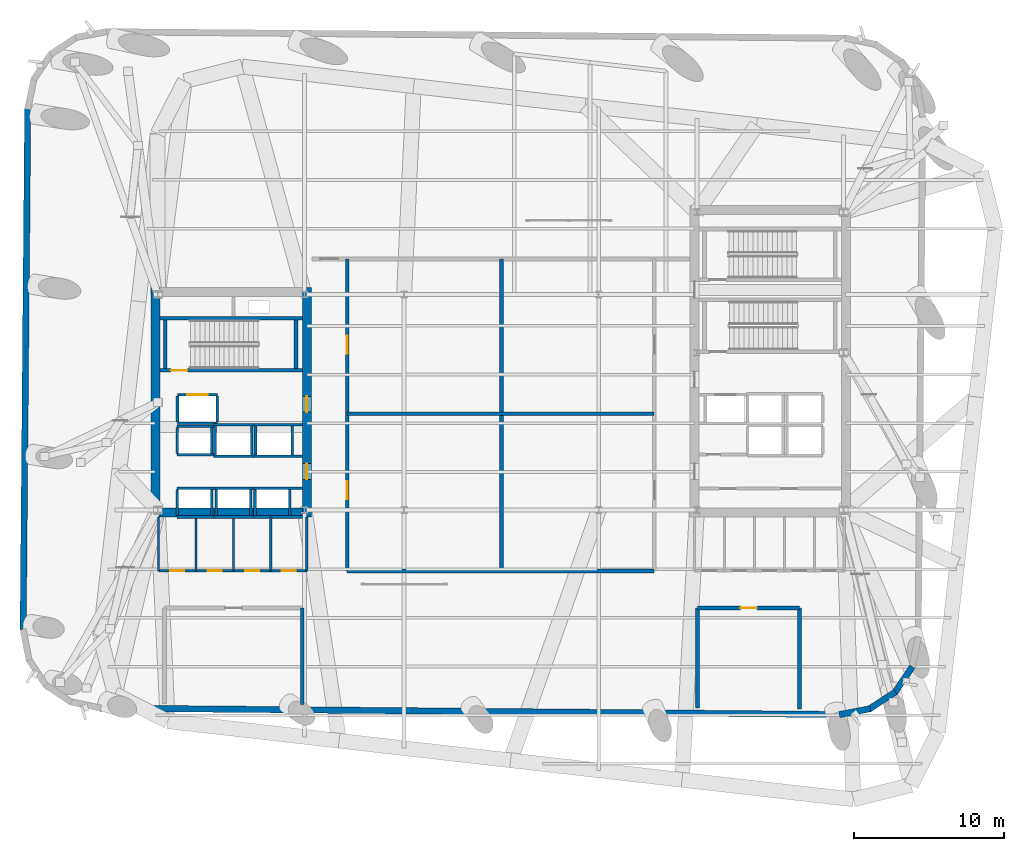
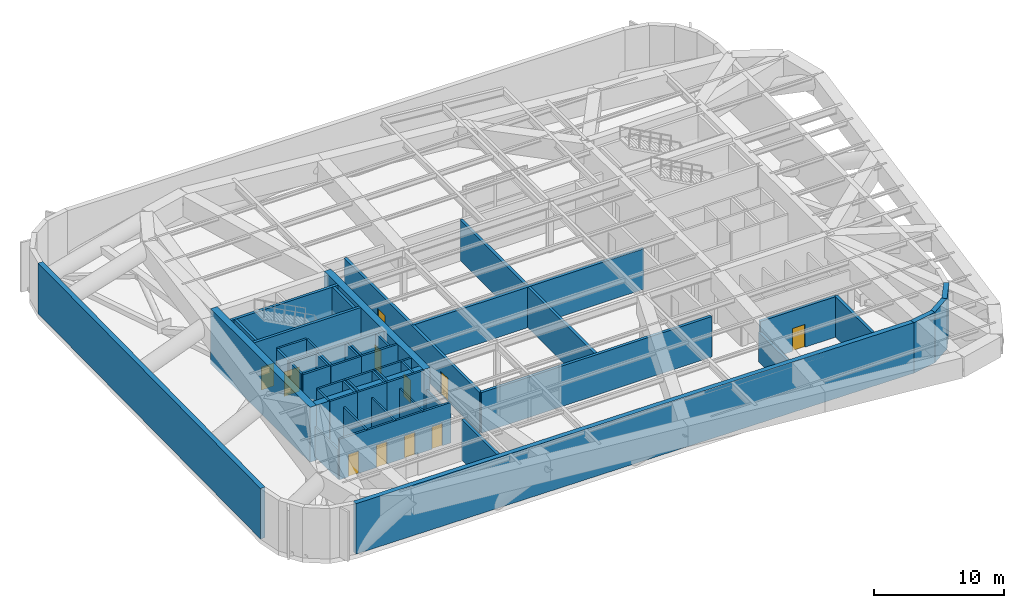
# One storey, part 7 of 13: 54 walls, 11 doors, 11 openings.
"""IFC4 building model written with IfcOpenShell, lengths in metres."""

from ifc_helpers import new_model, si_unit, direction, frame, frame_2d, origin, place, context, subcontext, project, spatial, rectangle, extrude, material, layer, layer_set, type_object, element, fill, save


model = new_model("IFC4")

# Units and contexts
model_context = context("Model", 3, precision=1e-05, world=origin(), true_north=direction((0.0, 1.0)))
body_context = subcontext(model_context, "Body", "Model", "MODEL_VIEW")
ifc_project = project(units=[si_unit("LENGTHUNIT", "METRE"), si_unit("AREAUNIT", "SQUARE_METRE"), si_unit("VOLUMEUNIT", "CUBIC_METRE"), si_unit("PLANEANGLEUNIT", "RADIAN"), si_unit("MASSUNIT", "GRAM", prefix="KILO")], contexts=[model_context])

# Site, building, storey
site_placement = place(None, origin())
site = spatial("IfcSite", under=ifc_project, at=site_placement, CompositionType="ELEMENT")
building_placement = place(site_placement, origin())
building = spatial("IfcBuilding", under=site, at=building_placement, Name="Kolvaren Arena Tower", CompositionType="ELEMENT")
storey_placement = place(building_placement, frame((0.0, 0.0, 210.949951171875)))
storey = spatial("IfcBuildingStorey", under=building, at=storey_placement, Name="L51", CompositionType="ELEMENT", Elevation=210.949951171875)

# Wall
ifc_material_1 = material(Name="Concrete 60 MPa", Category="concrete")
ifc_layer_1 = layer(ifc_material_1, 0.60009765625)
ifc_layer_set_1 = layer_set([ifc_layer_1], Name="Concrete 60 MPa")
wall_type_1 = type_object("IfcWallType", Name="CWALL-600", PredefinedType="SHEAR", material=ifc_layer_set_1)
wall_1_placement = place(storey_placement, frame((14.39990234375, 19.0, -0.419921875), z_axis=(0.0, 0.0, 1.0), x_axis=(0.0, 1.0, 0.0)))
element("IfcWall", 1, at=wall_1_placement, inside=storey, type_object=wall_type_1, Name="Core Shear Wall WC-WEST (L51)", PredefinedType="SHEAR", context=body_context, shape_type="SweptSolid", body=[
    extrude(rectangle(XDim=15.300048828125, YDim=0.60009765625, at=frame_2d((7.64990234375, 0.0))), origin(), (0.0, 0.0, 1.0), 5.169921875),
])

# Wall, openings, doors
wall_2_placement = place(storey_placement, frame((24.5, 19.0, -0.419921875), z_axis=(0.0, 0.0, 1.0), x_axis=(0.0, 1.0, 0.0)))
wall_2 = element("IfcWall", 2, at=wall_2_placement, inside=storey, type_object=wall_type_1, Name="Core Shear Wall WC-EAST (L51)", PredefinedType="SHEAR", context=body_context, shape_type="SweptSolid", body=[
    extrude(rectangle(XDim=15.300048828125, YDim=0.60009765625, at=frame_2d((7.64990234375, 0.0))), origin(), (0.0, 0.0, 1.0), 5.169921875),
])
opening_1_placement = place(wall_2_placement, frame((2.5, 0.0, 0.419921875)))
opening_1 = element("IfcOpeningElement", 3, at=opening_1_placement, cuts=wall_2, Name="Opening D04", PredefinedType="OPENING", context=body_context, shape_type="SweptSolid", body=[
    extrude(rectangle(XDim=1.050048828125, YDim=2.14990234375, at=frame_2d((0.52490234375, 1.074951171875))), frame((0.0, 0.31005859375, 0.0), z_axis=(0.0, -1.0, 0.0), x_axis=(1.0, 0.0, 0.0)), (0.0, 0.0, 1.0), 0.6201171875),
])
opening_2_placement = place(wall_2_placement, frame((7.0, 0.0, 0.419921875)))
opening_2 = element("IfcOpeningElement", 4, at=opening_2_placement, cuts=wall_2, Name="Opening D04", PredefinedType="OPENING", context=body_context, shape_type="SweptSolid", body=[
    extrude(rectangle(XDim=1.050048828125, YDim=2.14990234375, at=frame_2d((0.52490234375, 1.074951171875))), frame((0.0, 0.31005859375, 0.0), z_axis=(0.0, -1.0, 0.0), x_axis=(1.0, 0.0, 0.0)), (0.0, 0.0, 1.0), 0.6201171875),
])
ifc_material_2 = material(Name="Fire-rated steel lobby door", Category="steel")
door_type_1 = type_object("IfcDoorType", Name="DOOR-FF-105", OperationType="NOTDEFINED", PredefinedType="DOOR", material=ifc_material_2)
door_1_placement = place(opening_1_placement, origin())
door_1 = element("IfcDoor", 5, at=door_1_placement, inside=storey, type_object=door_type_1, Name="West Lift Lobby Fire Door (L51)", OperationType="SINGLE_SWING_LEFT", OverallHeight=2.14990234375, OverallWidth=1.050048828125, PredefinedType="DOOR", context=body_context, shape_type="SweptSolid", body=[
    extrude(rectangle(XDim=1.050048828125, YDim=2.14990234375, at=frame_2d((0.52490234375, 1.074951171875))), frame((0.0, 0.02490234375, 0.0), z_axis=(0.0, -1.0, 0.0), x_axis=(1.0, 0.0, 0.0)), (0.0, 0.0, 1.0), 0.050048828125),
])
fill(opening_1, door_1)
door_2_placement = place(opening_2_placement, origin())
door_2 = element("IfcDoor", 6, at=door_2_placement, inside=storey, type_object=door_type_1, Name="West Firefighter Vestibule Door (L51)", OperationType="SINGLE_SWING_RIGHT", OverallHeight=2.14990234375, OverallWidth=1.050048828125, PredefinedType="DOOR", context=body_context, shape_type="SweptSolid", body=[
    extrude(rectangle(XDim=1.050048828125, YDim=2.14990234375, at=frame_2d((0.52490234375, 1.074951171875))), frame((0.0, 0.02490234375, 0.0), z_axis=(0.0, -1.0, 0.0), x_axis=(1.0, 0.0, 0.0)), (0.0, 0.0, 1.0), 0.050048828125),
])
fill(opening_2, door_2)

# Walls
wall_3_placement = place(storey_placement, frame((14.699951171875, 19.300048828125, -0.419921875), z_axis=(0.0, 0.0, 1.0), x_axis=(1.0, 0.0, 0.0)))
element("IfcWall", 7, at=wall_3_placement, inside=storey, type_object=wall_type_1, Name="Core Shear Wall WC-SOUTH (L51)", PredefinedType="SHEAR", context=body_context, shape_type="SweptSolid", body=[
    extrude(rectangle(XDim=9.5, YDim=0.60009765625, at=frame_2d((4.75, 0.0))), origin(), (0.0, 0.0, 1.0), 5.169921875),
])
ifc_material_3 = material(Name="Precast concrete C50/60", Category="concrete")
ifc_layer_2 = layer(ifc_material_3, 0.419921875)
ifc_layer_set_2 = layer_set([ifc_layer_2], Name="Precast concrete C50/60")
wall_type_2 = type_object("IfcWallType", Name="EXT-PIER1", PredefinedType="SOLIDWALL", material=ifc_layer_set_2)
wall_4_placement = place(storey_placement, frame((62.130859375, 6.1845703125, 0.0), z_axis=(0.0, 0.0, 1.0), x_axis=(-0.982445905584, -0.186547695246, 0.0)))
element("IfcWall", 8, at=wall_4_placement, inside=storey, type_object=wall_type_2, Name="Exterior Precast Masonry-Frame Wall (L51)", PredefinedType="SOLIDWALL", context=body_context, shape_type="SweptSolid", body=[
    extrude(rectangle(XDim=2.107177734375, YDim=0.419921875, at=frame_2d((1.0537109375, 0.0))), origin(), (0.0, 0.0, 1.0), 4.75),
])
for number, where, z_axis, x_axis, name in (
    (9, (63.81689453125, 7.30908203125, 0.0), (0.0, 0.0, 1.0), (-0.836268756678, -0.548319766745, 0.0), "Exterior Precast Masonry-Frame Wall (L51)"),
    (10, (64.9443359375, 8.993408203125, 0.0), (0.0, 0.0, 1.0), (-0.56277581689, -0.826609569219, 0.0), "Exterior Precast Masonry-Frame Wall (L51)"),
):
    element("IfcWall", number, at=place(storey_placement, frame(where, z_axis=z_axis, x_axis=x_axis)), inside=storey, type_object=wall_type_2, Name=name, PredefinedType="SOLIDWALL", context=body_context, shape_type="SweptSolid", body=[
        extrude(rectangle(XDim=2.10693359375, YDim=0.419921875, at=frame_2d((1.053466796875, 0.0))), origin(), (0.0, 0.0, 1.0), 4.75),
    ])
wall_5_placement = place(storey_placement, frame((5.559326171875, 11.46142578125, 0.0), z_axis=(0.0, 0.0, 1.0), x_axis=(0.008727287311, 0.999961916503, 0.0)))
element("IfcWall", 11, at=wall_5_placement, inside=storey, type_object=wall_type_2, Name="Exterior Precast Masonry-Frame Wall (L51)", PredefinedType="SOLIDWALL", context=body_context, shape_type="SweptSolid", body=[
    extrude(rectangle(XDim=34.800048828125, YDim=0.419921875, at=frame_2d((17.39990234375, 0.0))), origin(), (0.0, 0.0, 1.0), 4.75),
])
wall_6_placement = place(storey_placement, frame((60.101806640625, 5.79541015625, 0.0), z_axis=(0.0, 0.0, 1.0), x_axis=(-0.99996195506, 0.008722868379, 0.0)))
element("IfcWall", 12, at=wall_6_placement, inside=storey, type_object=wall_type_2, Name="Exterior Precast Masonry-Frame Wall (L51)", PredefinedType="SOLIDWALL", context=body_context, shape_type="SweptSolid", body=[
    extrude(rectangle(XDim=49.39990234375, YDim=0.419921875, at=frame_2d((24.699951171875, 0.0))), origin(), (0.0, 0.0, 1.0), 4.75),
])

# Wall, opening, door
ifc_material_4 = material(Name="Concrete 45 MPa", Category="concrete")
ifc_layer_3 = layer(ifc_material_4, 0.25)
ifc_layer_set_3 = layer_set([ifc_layer_3], Name="Concrete 45 MPa")
wall_type_3 = type_object("IfcWallType", Name="SHAFT-250", PredefinedType="SOLIDWALL", material=ifc_layer_set_3)
wall_7_placement = place(storey_placement, frame((24.199951171875, 28.780029296875, 0.0), z_axis=(0.0, 0.0, 1.0), x_axis=(-1.0, 0.0, 0.0)))
wall_7 = element("IfcWall", 13, at=wall_7_placement, inside=storey, type_object=wall_type_3, Name="Core Shaft Wall (L51)", PredefinedType="SOLIDWALL", context=body_context, shape_type="SweptSolid", body=[
    extrude(rectangle(XDim=9.5, YDim=0.239990234375, at=frame_2d((4.75, 0.0))), origin(), (0.0, 0.0, 1.0), 4.75),
])
opening_3_placement = place(wall_7_placement, frame((7.679931640625, 0.0, 0.0)))
opening_3 = element("IfcOpeningElement", 14, at=opening_3_placement, cuts=wall_7, Name="Opening D03", PredefinedType="OPENING", context=body_context, shape_type="SweptSolid", body=[
    extrude(rectangle(XDim=1.10009765625, YDim=2.14990234375, at=frame_2d((0.550048828125, 1.074951171875))), frame((0.0, 0.1298828125, 0.0), z_axis=(0.0, -1.0, 0.0), x_axis=(1.0, 0.0, 0.0)), (0.0, 0.0, 1.0), 0.260009765625),
])
ifc_material_5 = material(Name="Fire-rated steel exit stair door", Category="steel")
door_type_2 = type_object("IfcDoorType", Name="DOOR-ST-110", OperationType="NOTDEFINED", PredefinedType="DOOR", material=ifc_material_5)
door_3_placement = place(opening_3_placement, origin())
door_3 = element("IfcDoor", 15, at=door_3_placement, inside=storey, type_object=door_type_2, Name="Stair ST-W1 Fire Door (L51)", OperationType="SINGLE_SWING_RIGHT", OverallHeight=2.14990234375, OverallWidth=1.10009765625, PredefinedType="DOOR", context=body_context, shape_type="SweptSolid", body=[
    extrude(rectangle(XDim=1.10009765625, YDim=2.14990234375, at=frame_2d((0.550048828125, 1.074951171875))), frame((0.0, 0.02490234375, 0.0), z_axis=(0.0, -1.0, 0.0), x_axis=(1.0, 0.0, 0.0)), (0.0, 0.0, 1.0), 0.050048828125),
])
fill(opening_3, door_3)

# Walls
wall_8_placement = place(storey_placement, frame((14.699951171875, 32.25, 0.0), z_axis=(0.0, 0.0, 1.0), x_axis=(1.0, 0.0, 0.0)))
element("IfcWall", 16, at=wall_8_placement, inside=storey, type_object=wall_type_3, Name="Core Shaft Wall (L51)", PredefinedType="SOLIDWALL", context=body_context, shape_type="SweptSolid", body=[
    extrude(rectangle(XDim=9.5, YDim=0.239990234375, at=frame_2d((4.75, 0.0))), origin(), (0.0, 0.0, 1.0), 4.75),
])
for number, where, z_axis, x_axis, name in (
    (17, (15.06005859375, 28.89990234375, 0.0), (0.0, 0.0, 1.0), (0.0, 1.0, 0.0), "Core Shaft Wall (L51)"),
    (18, (23.780029296875, 28.89990234375, 0.0), (0.0, 0.0, 1.0), (0.0, 1.0, 0.0), "Core Shaft Wall (L51)"),
):
    element("IfcWall", number, at=place(storey_placement, frame(where, z_axis=z_axis, x_axis=x_axis)), inside=storey, type_object=wall_type_3, Name=name, PredefinedType="SOLIDWALL", context=body_context, shape_type="SweptSolid", body=[
        extrude(rectangle(XDim=3.22998046875, YDim=0.239990234375, at=frame_2d((1.614990234375, 0.0))), origin(), (0.0, 0.0, 1.0), 4.75),
    ])
for number, where, z_axis, x_axis, name in (
    (19, (15.844970703125, 20.905029296875, 0.0), (0.0, 0.0, 1.0), (1.0, 0.0, 0.0), "Core Shaft Wall (L51)"),
    (20, (15.844970703125, 18.9951171875, 0.0), (0.0, 0.0, 1.0), (1.0, 0.0, 0.0), "Core Shaft Wall (L51)"),
):
    element("IfcWall", number, at=place(storey_placement, frame(where, z_axis=z_axis, x_axis=x_axis)), inside=storey, type_object=wall_type_3, Name=name, PredefinedType="SOLIDWALL", context=body_context, shape_type="SweptSolid", body=[
        extrude(rectangle(XDim=2.455078125, YDim=0.179931640625, at=frame_2d((1.2275390625, 0.0))), origin(), (0.0, 0.0, 1.0), 4.75),
    ])
for number, where, z_axis, x_axis, name in (
    (21, (15.844970703125, 19.0849609375, 0.0), (0.0, 0.0, 1.0), (0.0, 1.0, 0.0), "Core Shaft Wall (L51)"),
    (22, (18.155029296875, 19.0849609375, 0.0), (0.0, 0.0, 1.0), (0.0, 1.0, 0.0), "Core Shaft Wall (L51)"),
):
    element("IfcWall", number, at=place(storey_placement, frame(where, z_axis=z_axis, x_axis=x_axis)), inside=storey, type_object=wall_type_3, Name=name, PredefinedType="SOLIDWALL", context=body_context, shape_type="SweptSolid", body=[
        extrude(rectangle(XDim=1.72998046875, YDim=0.179931640625, at=frame_2d((0.864990234375, 0.0))), origin(), (0.0, 0.0, 1.0), 4.75),
    ])
for number, where, z_axis, x_axis, name in (
    (23, (18.300048828125, 20.905029296875, 0.0), (0.0, 0.0, 1.0), (1.0, 0.0, 0.0), "Core Shaft Wall (L51)"),
    (24, (18.300048828125, 18.9951171875, 0.0), (0.0, 0.0, 1.0), (1.0, 0.0, 0.0), "Core Shaft Wall (L51)"),
):
    element("IfcWall", number, at=place(storey_placement, frame(where, z_axis=z_axis, x_axis=x_axis)), inside=storey, type_object=wall_type_3, Name=name, PredefinedType="SOLIDWALL", context=body_context, shape_type="SweptSolid", body=[
        extrude(rectangle(XDim=2.599853515625, YDim=0.179931640625, at=frame_2d((1.2998046875, 0.0))), origin(), (0.0, 0.0, 1.0), 4.75),
    ])
for number, where, z_axis, x_axis, name in (
    (25, (18.445068359375, 19.0849609375, 0.0), (0.0, 0.0, 1.0), (0.0, 1.0, 0.0), "Core Shaft Wall (L51)"),
    (26, (20.7548828125, 19.0849609375, 0.0), (0.0, 0.0, 1.0), (0.0, 1.0, 0.0), "Core Shaft Wall (L51)"),
):
    element("IfcWall", number, at=place(storey_placement, frame(where, z_axis=z_axis, x_axis=x_axis)), inside=storey, type_object=wall_type_3, Name=name, PredefinedType="SOLIDWALL", context=body_context, shape_type="SweptSolid", body=[
        extrude(rectangle(XDim=1.72998046875, YDim=0.179931640625, at=frame_2d((0.864990234375, 0.0))), origin(), (0.0, 0.0, 1.0), 4.75),
    ])
for number, where, z_axis, x_axis, name in (
    (27, (20.89990234375, 20.905029296875, 0.0), (0.0, 0.0, 1.0), (1.0, 0.0, 0.0), "Core Shaft Wall (L51)"),
    (28, (20.89990234375, 18.9951171875, 0.0), (0.0, 0.0, 1.0), (1.0, 0.0, 0.0), "Core Shaft Wall (L51)"),
):
    element("IfcWall", number, at=place(storey_placement, frame(where, z_axis=z_axis, x_axis=x_axis)), inside=storey, type_object=wall_type_3, Name=name, PredefinedType="SOLIDWALL", context=body_context, shape_type="SweptSolid", body=[
        extrude(rectangle(XDim=3.300048828125, YDim=0.179931640625, at=frame_2d((1.64990234375, 0.0))), origin(), (0.0, 0.0, 1.0), 4.75),
    ])
for number, where, z_axis, x_axis, name in (
    (29, (21.044921875, 19.0849609375, 0.0), (0.0, 0.0, 1.0), (0.0, 1.0, 0.0), "Core Shaft Wall (L51)"),
    (30, (23.35498046875, 19.0849609375, 0.0), (0.0, 0.0, 1.0), (0.0, 1.0, 0.0), "Core Shaft Wall (L51)"),
):
    element("IfcWall", number, at=place(storey_placement, frame(where, z_axis=z_axis, x_axis=x_axis)), inside=storey, type_object=wall_type_3, Name=name, PredefinedType="SOLIDWALL", context=body_context, shape_type="SweptSolid", body=[
        extrude(rectangle(XDim=1.72998046875, YDim=0.179931640625, at=frame_2d((0.864990234375, 0.0))), origin(), (0.0, 0.0, 1.0), 4.75),
    ])
for number, where, z_axis, x_axis, name in (
    (31, (15.844970703125, 25.054931640625, 0.0), (0.0, 0.0, 1.0), (1.0, 0.0, 0.0), "Core Shaft Wall (L51)"),
    (32, (15.844970703125, 23.14501953125, 0.0), (0.0, 0.0, 1.0), (1.0, 0.0, 0.0), "Core Shaft Wall (L51)"),
):
    element("IfcWall", number, at=place(storey_placement, frame(where, z_axis=z_axis, x_axis=x_axis)), inside=storey, type_object=wall_type_3, Name=name, PredefinedType="SOLIDWALL", context=body_context, shape_type="SweptSolid", body=[
        extrude(rectangle(XDim=2.41748046875, YDim=0.179931640625, at=frame_2d((1.208740234375, 0.0))), origin(), (0.0, 0.0, 1.0), 4.75),
    ])
for number, where, z_axis, x_axis, name in (
    (33, (15.844970703125, 23.235107421875, 0.0), (0.0, 0.0, 1.0), (0.0, 1.0, 0.0), "Core Shaft Wall (L51)"),
    (34, (18.155029296875, 23.235107421875, 0.0), (0.0, 0.0, 1.0), (0.0, 1.0, 0.0), "Core Shaft Wall (L51)"),
):
    element("IfcWall", number, at=place(storey_placement, frame(where, z_axis=z_axis, x_axis=x_axis)), inside=storey, type_object=wall_type_3, Name=name, PredefinedType="SOLIDWALL", context=body_context, shape_type="SweptSolid", body=[
        extrude(rectangle(XDim=1.72998046875, YDim=0.179931640625, at=frame_2d((0.864990234375, 0.0))), origin(), (0.0, 0.0, 1.0), 4.75),
    ])
for number, where, z_axis, x_axis, name in (
    (35, (18.262451171875, 25.155029296875, 0.0), (0.0, 0.0, 1.0), (1.0, 0.0, 0.0), "Core Shaft Wall (L51)"),
    (36, (18.262451171875, 23.044921875, 0.0), (0.0, 0.0, 1.0), (1.0, 0.0, 0.0), "Core Shaft Wall (L51)"),
):
    element("IfcWall", number, at=place(storey_placement, frame(where, z_axis=z_axis, x_axis=x_axis)), inside=storey, type_object=wall_type_3, Name=name, PredefinedType="SOLIDWALL", context=body_context, shape_type="SweptSolid", body=[
        extrude(rectangle(XDim=2.6875, YDim=0.179931640625, at=frame_2d((1.34375, 0.0))), origin(), (0.0, 0.0, 1.0), 4.75),
    ])
for number, where, z_axis, x_axis, name in (
    (37, (18.3701171875, 23.135009765625, 0.0), (0.0, 0.0, 1.0), (0.0, 1.0, 0.0), "Core Shaft Wall (L51)"),
    (38, (20.830078125, 23.135009765625, 0.0), (0.0, 0.0, 1.0), (0.0, 1.0, 0.0), "Core Shaft Wall (L51)"),
):
    element("IfcWall", number, at=place(storey_placement, frame(where, z_axis=z_axis, x_axis=x_axis)), inside=storey, type_object=wall_type_3, Name=name, PredefinedType="SOLIDWALL", context=body_context, shape_type="SweptSolid", body=[
        extrude(rectangle(XDim=1.929931640625, YDim=0.179931640625, at=frame_2d((0.96484375, 0.0))), origin(), (0.0, 0.0, 1.0), 4.75),
    ])
for number, where, z_axis, x_axis, name in (
    (39, (20.949951171875, 25.155029296875, 0.0), (0.0, 0.0, 1.0), (1.0, 0.0, 0.0), "Core Shaft Wall (L51)"),
    (40, (20.949951171875, 23.044921875, 0.0), (0.0, 0.0, 1.0), (1.0, 0.0, 0.0), "Core Shaft Wall (L51)"),
):
    element("IfcWall", number, at=place(storey_placement, frame(where, z_axis=z_axis, x_axis=x_axis)), inside=storey, type_object=wall_type_3, Name=name, PredefinedType="SOLIDWALL", context=body_context, shape_type="SweptSolid", body=[
        extrude(rectangle(XDim=3.25, YDim=0.179931640625, at=frame_2d((1.625, 0.0))), origin(), (0.0, 0.0, 1.0), 4.75),
    ])
for number, where, z_axis, x_axis, name in (
    (41, (21.070068359375, 23.135009765625, 0.0), (0.0, 0.0, 1.0), (0.0, 1.0, 0.0), "Core Shaft Wall (L51)"),
    (42, (23.530029296875, 23.135009765625, 0.0), (0.0, 0.0, 1.0), (0.0, 1.0, 0.0), "Core Shaft Wall (L51)"),
):
    element("IfcWall", number, at=place(storey_placement, frame(where, z_axis=z_axis, x_axis=x_axis)), inside=storey, type_object=wall_type_3, Name=name, PredefinedType="SOLIDWALL", context=body_context, shape_type="SweptSolid", body=[
        extrude(rectangle(XDim=1.929931640625, YDim=0.179931640625, at=frame_2d((0.96484375, 0.0))), origin(), (0.0, 0.0, 1.0), 4.75),
    ])

# Wall, opening, door
wall_9_placement = place(storey_placement, frame((15.8701171875, 27.155029296875, 0.0), z_axis=(0.0, 0.0, 1.0), x_axis=(1.0, 0.0, 0.0)))
wall_9 = element("IfcWall", 43, at=wall_9_placement, inside=storey, type_object=wall_type_3, Name="Core Shaft Wall (L51)", PredefinedType="SOLIDWALL", context=body_context, shape_type="SweptSolid", body=[
    extrude(rectangle(XDim=2.659912109375, YDim=0.179931640625, at=frame_2d((1.330078125, 0.0))), origin(), (0.0, 0.0, 1.0), 4.75),
])
opening_4_placement = place(wall_9_placement, frame((0.655029296875, 0.0, 0.0)))
opening_4 = element("IfcOpeningElement", 44, at=opening_4_placement, cuts=wall_9, Name="Opening LD2", PredefinedType="OPENING", context=body_context, shape_type="SweptSolid", body=[
    extrude(rectangle(XDim=1.35009765625, YDim=2.300048828125, at=frame_2d((0.675048828125, 1.14990234375))), frame((0.0, 0.099853515625, 0.0), z_axis=(0.0, -1.0, 0.0), x_axis=(1.0, 0.0, 0.0)), (0.0, 0.0, 1.0), 0.199951171875),
])
ifc_material_6 = material(Name="Stainless steel firefighter lift landing door", Category="steel")
door_type_3 = type_object("IfcDoorType", Name="DOOR-LD-135", OperationType="DOUBLE_DOOR_SLIDING", PredefinedType="DOOR", material=ifc_material_6)
door_4_placement = place(opening_4_placement, origin())
door_4 = element("IfcDoor", 45, at=door_4_placement, inside=storey, type_object=door_type_3, Name="Firefighter Lift FF-W1 Landing Door (L51)", OperationType="DOUBLE_DOOR_SLIDING", OverallHeight=2.300048828125, OverallWidth=1.35009765625, PredefinedType="DOOR", context=body_context, shape_type="SweptSolid", body=[
    extrude(rectangle(XDim=1.35009765625, YDim=2.300048828125, at=frame_2d((0.675048828125, 1.14990234375))), frame((0.0, 0.02490234375, 0.0), z_axis=(0.0, -1.0, 0.0), x_axis=(1.0, 0.0, 0.0)), (0.0, 0.0, 1.0), 0.050048828125),
])
fill(opening_4, door_4)

# Walls
wall_10_placement = place(storey_placement, frame((15.8701171875, 25.2451171875, 0.0), z_axis=(0.0, 0.0, 1.0), x_axis=(1.0, 0.0, 0.0)))
element("IfcWall", 46, at=wall_10_placement, inside=storey, type_object=wall_type_3, Name="Core Shaft Wall (L51)", PredefinedType="SOLIDWALL", context=body_context, shape_type="SweptSolid", body=[
    extrude(rectangle(XDim=2.659912109375, YDim=0.179931640625, at=frame_2d((1.330078125, 0.0))), origin(), (0.0, 0.0, 1.0), 4.75),
])
for number, where, z_axis, x_axis, name in (
    (47, (15.8701171875, 25.3349609375, 0.0), (0.0, 0.0, 1.0), (0.0, 1.0, 0.0), "Core Shaft Wall (L51)"),
    (48, (18.530029296875, 25.3349609375, 0.0), (0.0, 0.0, 1.0), (0.0, 1.0, 0.0), "Core Shaft Wall (L51)"),
):
    element("IfcWall", number, at=place(storey_placement, frame(where, z_axis=z_axis, x_axis=x_axis)), inside=storey, type_object=wall_type_3, Name=name, PredefinedType="SOLIDWALL", context=body_context, shape_type="SweptSolid", body=[
        extrude(rectangle(XDim=1.72998046875, YDim=0.179931640625, at=frame_2d((0.864990234375, 0.0))), origin(), (0.0, 0.0, 1.0), 4.75),
    ])
wall_11_placement = place(storey_placement, frame((37.5, 15.3798828125, 0.0), z_axis=(0.0, 0.0, 1.0), x_axis=(0.0, 1.0, 0.0)))
element("IfcWall", 49, at=wall_11_placement, inside=storey, type_object=wall_type_3, Name="Interior Partition Wall (L51)", PredefinedType="SOLIDWALL", context=body_context, shape_type="SweptSolid", body=[
    extrude(rectangle(XDim=20.840087890625, YDim=0.25, at=frame_2d((10.419921875, 0.0))), origin(), (0.0, 0.0, 1.0), 3.81005859375),
])
for number, where, z_axis, x_axis, name in (
    (50, (27.199951171875, 25.8798828125, 0.0), (0.0, 0.0, 1.0), (1.0, 0.0, 0.0), "Interior Partition Wall (L51)"),
    (51, (27.199951171875, 15.3798828125, 0.0), (0.0, 0.0, 1.0), (1.0, 0.0, 0.0), "Interior Partition Wall (L51)"),
):
    element("IfcWall", number, at=place(storey_placement, frame(where, z_axis=z_axis, x_axis=x_axis)), inside=storey, type_object=wall_type_3, Name=name, PredefinedType="SOLIDWALL", context=body_context, shape_type="SweptSolid", body=[
        extrude(rectangle(XDim=20.5, YDim=0.25, at=frame_2d((10.25, 0.0))), origin(), (0.0, 0.0, 1.0), 3.81005859375),
    ])

# Wall, openings, doors
wall_12_placement = place(storey_placement, frame((27.199951171875, 15.3798828125, 0.0), z_axis=(0.0, 0.0, 1.0), x_axis=(0.0, 1.0, 0.0)))
wall_12 = element("IfcWall", 52, at=wall_12_placement, inside=storey, type_object=wall_type_3, Name="Interior Partition Wall (L51)", PredefinedType="SOLIDWALL", context=body_context, shape_type="SweptSolid", body=[
    extrude(rectangle(XDim=20.840087890625, YDim=0.25, at=frame_2d((10.419921875, 0.0))), origin(), (0.0, 0.0, 1.0), 3.81005859375),
])
opening_5_placement = place(wall_12_placement, frame((4.800048828125, 0.0, 0.0)))
opening_5 = element("IfcOpeningElement", 53, at=opening_5_placement, cuts=wall_12, Name="Opening D08", PredefinedType="OPENING", context=body_context, shape_type="SweptSolid", body=[
    extrude(rectangle(XDim=1.199951171875, YDim=2.199951171875, at=frame_2d((0.60009765625, 1.10009765625))), frame((0.0, 0.135009765625, 0.0), z_axis=(0.0, -1.0, 0.0), x_axis=(1.0, 0.0, 0.0)), (0.0, 0.0, 1.0), 0.27001953125),
])
opening_6_placement = place(wall_12_placement, frame((14.5, 0.0, 0.0)))
opening_6 = element("IfcOpeningElement", 54, at=opening_6_placement, cuts=wall_12, Name="Opening D08", PredefinedType="OPENING", context=body_context, shape_type="SweptSolid", body=[
    extrude(rectangle(XDim=1.199951171875, YDim=2.199951171875, at=frame_2d((0.60009765625, 1.10009765625))), frame((0.0, 0.135009765625, 0.0), z_axis=(0.0, -1.0, 0.0), x_axis=(1.0, 0.0, 0.0)), (0.0, 0.0, 1.0), 0.27001953125),
])
ifc_material_7 = material(Name="Fire-rated steel plant room door", Category="steel")
door_type_4 = type_object("IfcDoorType", Name="DOOR-PL-120", OperationType="NOTDEFINED", PredefinedType="DOOR", material=ifc_material_7)
door_5_placement = place(opening_5_placement, origin())
door_5 = element("IfcDoor", 55, at=door_5_placement, inside=storey, type_object=door_type_4, Name="AHU Plant Door (L51)", OperationType="SINGLE_SWING_LEFT", OverallHeight=2.199951171875, OverallWidth=1.199951171875, PredefinedType="DOOR", context=body_context, shape_type="SweptSolid", body=[
    extrude(rectangle(XDim=1.199951171875, YDim=2.199951171875, at=frame_2d((0.60009765625, 1.10009765625))), frame((0.0, 0.02490234375, 0.0), z_axis=(0.0, -1.0, 0.0), x_axis=(1.0, 0.0, 0.0)), (0.0, 0.0, 1.0), 0.050048828125),
])
fill(opening_5, door_5)
door_6_placement = place(opening_6_placement, origin())
door_6 = element("IfcDoor", 56, at=door_6_placement, inside=storey, type_object=door_type_4, Name="Pump Plant Door (L51)", OperationType="SINGLE_SWING_RIGHT", OverallHeight=2.199951171875, OverallWidth=1.199951171875, PredefinedType="DOOR", context=body_context, shape_type="SweptSolid", body=[
    extrude(rectangle(XDim=1.199951171875, YDim=2.199951171875, at=frame_2d((0.60009765625, 1.10009765625))), frame((0.0, 0.02490234375, 0.0), z_axis=(0.0, -1.0, 0.0), x_axis=(1.0, 0.0, 0.0)), (0.0, 0.0, 1.0), 0.050048828125),
])
fill(opening_6, door_6)

# Wall
wall_13_placement = place(storey_placement, frame((24.199951171875, 6.45849609375, 0.0), z_axis=(0.0, 0.0, 1.0), x_axis=(0.0, 1.0, 0.0)))
element("IfcWall", 57, at=wall_13_placement, inside=storey, type_object=wall_type_3, Name="Interior Partition Wall (L51)", PredefinedType="SOLIDWALL", context=body_context, shape_type="SweptSolid", body=[
    extrude(rectangle(XDim=6.46142578125, YDim=0.25, at=frame_2d((3.230712890625, 0.0))), origin(), (0.0, 0.0, 1.0), 3.81005859375),
])

# Wall, opening, door
wall_14_placement = place(storey_placement, frame((50.60009765625, 12.919921875, 0.0), z_axis=(0.0, 0.0, 1.0), x_axis=(1.0, 0.0, 0.0)))
wall_14 = element("IfcWall", 58, at=wall_14_placement, inside=storey, type_object=wall_type_3, Name="Interior Partition Wall (L51)", PredefinedType="SOLIDWALL", context=body_context, shape_type="SweptSolid", body=[
    extrude(rectangle(XDim=6.7998046875, YDim=0.25, at=frame_2d((3.39990234375, 0.0))), origin(), (0.0, 0.0, 1.0), 3.81005859375),
])
opening_7_placement = place(wall_14_placement, frame((2.85009765625, 0.0, 0.0)))
opening_7 = element("IfcOpeningElement", 59, at=opening_7_placement, cuts=wall_14, Name="Opening D03", PredefinedType="OPENING", context=body_context, shape_type="SweptSolid", body=[
    extrude(rectangle(XDim=1.10009765625, YDim=2.14990234375, at=frame_2d((0.550048828125, 1.074951171875))), frame((0.0, 0.135009765625, 0.0), z_axis=(0.0, -1.0, 0.0), x_axis=(1.0, 0.0, 0.0)), (0.0, 0.0, 1.0), 0.27001953125),
])
door_7_placement = place(opening_7_placement, origin())
door_7 = element("IfcDoor", 60, at=door_7_placement, inside=storey, type_object=door_type_2, Name="East Area of Refuge Door (L51)", OperationType="SINGLE_SWING_LEFT", OverallHeight=2.14990234375, OverallWidth=1.10009765625, PredefinedType="DOOR", context=body_context, shape_type="SweptSolid", body=[
    extrude(rectangle(XDim=1.10009765625, YDim=2.14990234375, at=frame_2d((0.550048828125, 1.074951171875))), frame((0.0, 0.02490234375, 0.0), z_axis=(0.0, -1.0, 0.0), x_axis=(1.0, 0.0, 0.0)), (0.0, 0.0, 1.0), 0.050048828125),
])
fill(opening_7, door_7)

# Walls
wall_15_placement = place(storey_placement, frame((50.60009765625, 6.228271484375, 0.0), z_axis=(0.0, 0.0, 1.0), x_axis=(0.0, 1.0, 0.0)))
element("IfcWall", 61, at=wall_15_placement, inside=storey, type_object=wall_type_3, Name="Interior Partition Wall (L51)", PredefinedType="SOLIDWALL", context=body_context, shape_type="SweptSolid", body=[
    extrude(rectangle(XDim=6.691650390625, YDim=0.25, at=frame_2d((3.345703125, 0.0))), origin(), (0.0, 0.0, 1.0), 2.800048828125),
])
wall_16_placement = place(storey_placement, frame((57.39990234375, 6.1689453125, 0.0), z_axis=(0.0, 0.0, 1.0), x_axis=(0.0, 1.0, 0.0)))
element("IfcWall", 62, at=wall_16_placement, inside=storey, type_object=wall_type_3, Name="Interior Partition Wall (L51)", PredefinedType="SOLIDWALL", context=body_context, shape_type="SweptSolid", body=[
    extrude(rectangle(XDim=6.7509765625, YDim=0.25, at=frame_2d((3.37548828125, 0.0))), origin(), (0.0, 0.0, 1.0), 3.81005859375),
])
ifc_material_8 = material(Name="Moisture-resistant gypsum assembly", Category="gypsum")
ifc_layer_4 = layer(ifc_material_8, 0.14990234375)
ifc_layer_set_4 = layer_set([ifc_layer_4], Name="Moisture-resistant gypsum assembly")
wall_type_4 = type_object("IfcWallType", Name="WETW-150", PredefinedType="PARTITIONING", material=ifc_layer_set_4)
for number, where, z_axis, x_axis, name in (
    (63, (17.10009765625, 15.39990234375, 0.0), (0.0, 0.0, 1.0), (0.0, 1.0, 0.0), "Interior Partition Wall (L51)"),
    (64, (19.60009765625, 15.39990234375, 0.0), (0.0, 0.0, 1.0), (0.0, 1.0, 0.0), "Interior Partition Wall (L51)"),
    (65, (22.10009765625, 15.39990234375, 0.0), (0.0, 0.0, 1.0), (0.0, 1.0, 0.0), "Interior Partition Wall (L51)"),
):
    element("IfcWall", number, at=place(storey_placement, frame(where, z_axis=z_axis, x_axis=x_axis)), inside=storey, type_object=wall_type_4, Name=name, PredefinedType="PARTITIONING", context=body_context, shape_type="SweptSolid", body=[
        extrude(rectangle(XDim=3.580078125, YDim=0.14990234375, at=frame_2d((1.7900390625, 0.0))), origin(), (0.0, 0.0, 1.0), 3.81005859375),
    ])

# Wall, openings, doors
wall_17_placement = place(storey_placement, frame((14.60009765625, 15.39990234375, 0.0), z_axis=(0.0, 0.0, 1.0), x_axis=(1.0, 0.0, 0.0)))
wall_17 = element("IfcWall", 66, at=wall_17_placement, inside=storey, type_object=wall_type_4, Name="Interior Partition Wall (L51)", PredefinedType="PARTITIONING", context=body_context, shape_type="SweptSolid", body=[
    extrude(rectangle(XDim=9.89990234375, YDim=0.179931640625, at=frame_2d((4.949951171875, 0.0))), origin(), (0.0, 0.0, 1.0), 3.81005859375),
])
opening_8_placement = place(wall_17_placement, frame((0.7900390625, 0.0, 0.0)))
opening_8 = element("IfcOpeningElement", 67, at=opening_8_placement, cuts=wall_17, Name="Opening D07", PredefinedType="OPENING", context=body_context, shape_type="SweptSolid", body=[
    extrude(rectangle(XDim=0.919921875, YDim=2.10009765625, at=frame_2d((0.4599609375, 1.050048828125))), frame((0.0, 0.099853515625, 0.0), z_axis=(0.0, -1.0, 0.0), x_axis=(1.0, 0.0, 0.0)), (0.0, 0.0, 1.0), 0.199951171875),
])
opening_9_placement = place(wall_17_placement, frame((3.2900390625, 0.0, 0.0)))
opening_9 = element("IfcOpeningElement", 68, at=opening_9_placement, cuts=wall_17, Name="Opening D07", PredefinedType="OPENING", context=body_context, shape_type="SweptSolid", body=[
    extrude(rectangle(XDim=0.919921875, YDim=2.10009765625, at=frame_2d((0.4599609375, 1.050048828125))), frame((0.0, 0.099853515625, 0.0), z_axis=(0.0, -1.0, 0.0), x_axis=(1.0, 0.0, 0.0)), (0.0, 0.0, 1.0), 0.199951171875),
])
opening_10_placement = place(wall_17_placement, frame((5.7900390625, 0.0, 0.0)))
opening_10 = element("IfcOpeningElement", 69, at=opening_10_placement, cuts=wall_17, Name="Opening D07", PredefinedType="OPENING", context=body_context, shape_type="SweptSolid", body=[
    extrude(rectangle(XDim=0.919921875, YDim=2.10009765625, at=frame_2d((0.4599609375, 1.050048828125))), frame((0.0, 0.099853515625, 0.0), z_axis=(0.0, -1.0, 0.0), x_axis=(1.0, 0.0, 0.0)), (0.0, 0.0, 1.0), 0.199951171875),
])
opening_11_placement = place(wall_17_placement, frame((8.239990234375, 0.0, 0.0)))
opening_11 = element("IfcOpeningElement", 70, at=opening_11_placement, cuts=wall_17, Name="Opening D07", PredefinedType="OPENING", context=body_context, shape_type="SweptSolid", body=[
    extrude(rectangle(XDim=0.919921875, YDim=2.10009765625, at=frame_2d((0.4599609375, 1.050048828125))), frame((0.0, 0.099853515625, 0.0), z_axis=(0.0, -1.0, 0.0), x_axis=(1.0, 0.0, 0.0)), (0.0, 0.0, 1.0), 0.199951171875),
])
ifc_material_9 = material(Name="Laminate universal washroom door", Category="wood")
door_type_5 = type_object("IfcDoorType", Name="DOOR-WC-092", OperationType="NOTDEFINED", PredefinedType="DOOR", material=ifc_material_9)
door_8_placement = place(opening_8_placement, origin())
door_8 = element("IfcDoor", 71, at=door_8_placement, inside=storey, type_object=door_type_5, Name="Women Restroom Door (L51)", OperationType="SINGLE_SWING_LEFT", OverallHeight=2.10009765625, OverallWidth=0.919921875, PredefinedType="DOOR", context=body_context, shape_type="SweptSolid", body=[
    extrude(rectangle(XDim=0.919921875, YDim=2.10009765625, at=frame_2d((0.4599609375, 1.050048828125))), frame((0.0, 0.02490234375, 0.0), z_axis=(0.0, -1.0, 0.0), x_axis=(1.0, 0.0, 0.0)), (0.0, 0.0, 1.0), 0.050048828125),
])
fill(opening_8, door_8)
door_9_placement = place(opening_9_placement, origin())
door_9 = element("IfcDoor", 72, at=door_9_placement, inside=storey, type_object=door_type_5, Name="Men Restroom Door (L51)", OperationType="SINGLE_SWING_RIGHT", OverallHeight=2.10009765625, OverallWidth=0.919921875, PredefinedType="DOOR", context=body_context, shape_type="SweptSolid", body=[
    extrude(rectangle(XDim=0.919921875, YDim=2.10009765625, at=frame_2d((0.4599609375, 1.050048828125))), frame((0.0, 0.02490234375, 0.0), z_axis=(0.0, -1.0, 0.0), x_axis=(1.0, 0.0, 0.0)), (0.0, 0.0, 1.0), 0.050048828125),
])
fill(opening_9, door_9)
door_10_placement = place(opening_10_placement, origin())
door_10 = element("IfcDoor", 73, at=door_10_placement, inside=storey, type_object=door_type_5, Name="Universal Barrier-Free Washroom Door (L51)", OperationType="SINGLE_SWING_LEFT", OverallHeight=2.10009765625, OverallWidth=0.919921875, PredefinedType="DOOR", context=body_context, shape_type="SweptSolid", body=[
    extrude(rectangle(XDim=0.919921875, YDim=2.10009765625, at=frame_2d((0.4599609375, 1.050048828125))), frame((0.0, 0.02490234375, 0.0), z_axis=(0.0, -1.0, 0.0), x_axis=(1.0, 0.0, 0.0)), (0.0, 0.0, 1.0), 0.050048828125),
])
fill(opening_10, door_10)
door_11_placement = place(opening_11_placement, origin())
door_11 = element("IfcDoor", 74, at=door_11_placement, inside=storey, type_object=door_type_5, Name="Linen Store Door (L51)", OperationType="SINGLE_SWING_RIGHT", OverallHeight=2.10009765625, OverallWidth=0.919921875, PredefinedType="DOOR", context=body_context, shape_type="SweptSolid", body=[
    extrude(rectangle(XDim=0.919921875, YDim=2.10009765625, at=frame_2d((0.4599609375, 1.050048828125))), frame((0.0, 0.02490234375, 0.0), z_axis=(0.0, -1.0, 0.0), x_axis=(1.0, 0.0, 0.0)), (0.0, 0.0, 1.0), 0.050048828125),
])
fill(opening_11, door_11)

# Walls
for number, where, z_axis, x_axis, name in (
    (75, (14.60009765625, 15.39990234375, 0.0), (0.0, 0.0, 1.0), (0.0, 1.0, 0.0), "Interior Partition Wall (L51)"),
    (76, (24.5, 15.39990234375, 0.0), (0.0, 0.0, 1.0), (0.0, 1.0, 0.0), "Interior Partition Wall (L51)"),
):
    element("IfcWall", number, at=place(storey_placement, frame(where, z_axis=z_axis, x_axis=x_axis)), inside=storey, type_object=wall_type_4, Name=name, PredefinedType="PARTITIONING", context=body_context, shape_type="SweptSolid", body=[
        extrude(rectangle(XDim=3.580078125, YDim=0.14990234375, at=frame_2d((1.7900390625, 0.0))), origin(), (0.0, 0.0, 1.0), 2.800048828125),
    ])

save(model, "model.ifc")
